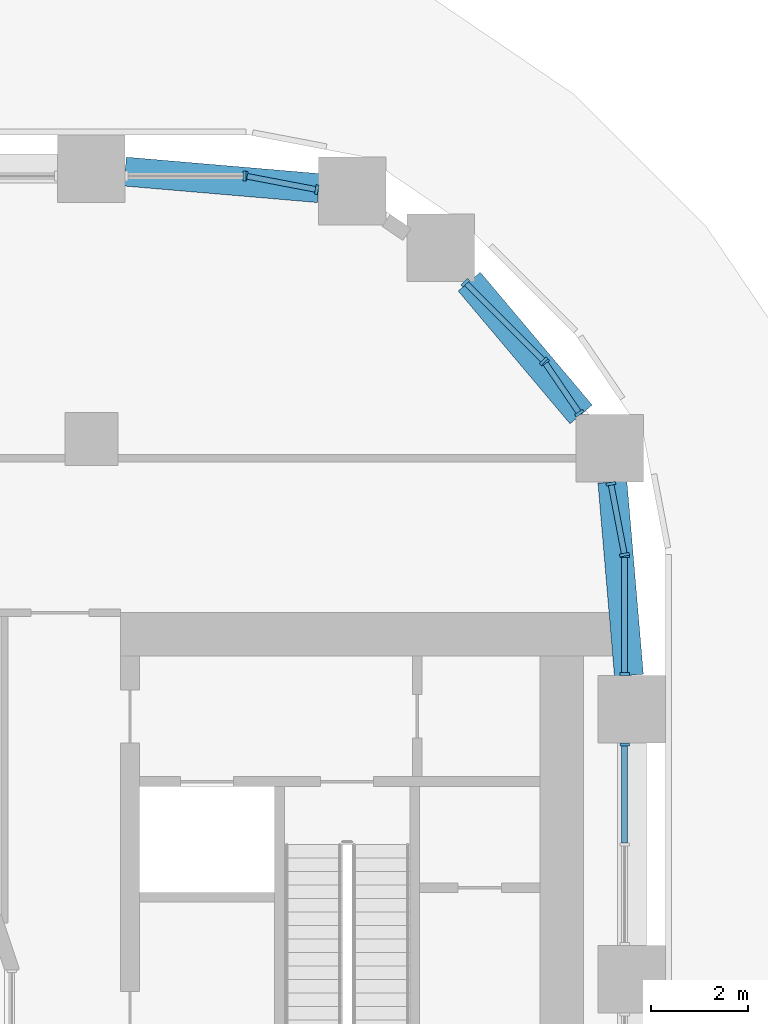
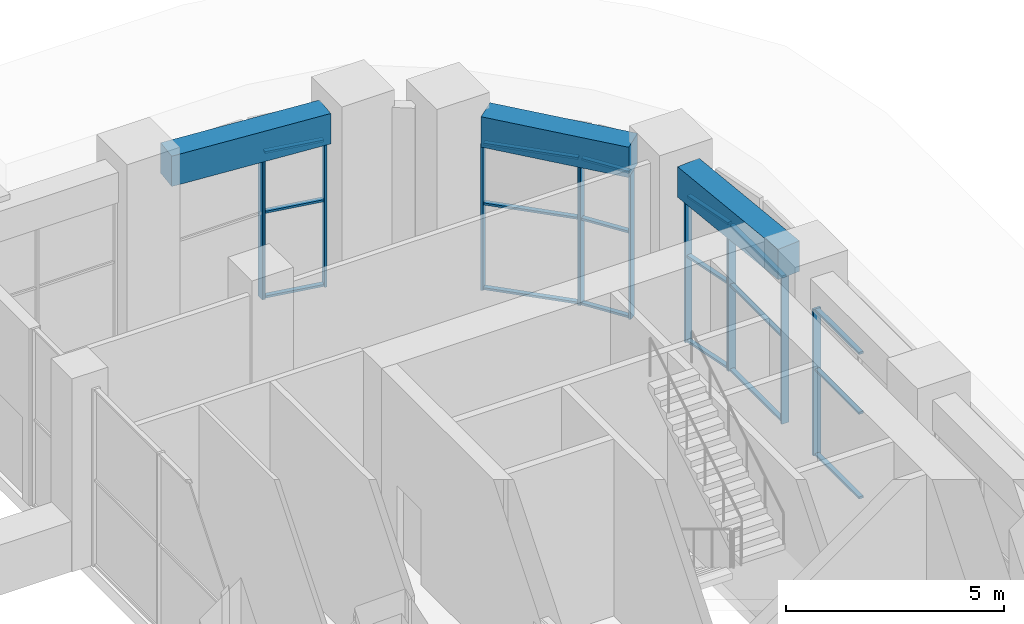
# One storey, part 10 of 27: 30 members, 3 beams, 7 elements without a shape of their own.
"""IFC4 building model written with IfcOpenShell, lengths in metres."""

from ifc_helpers import new_model, si_unit, direction, frame, origin, origin_2d, place, context, subcontext, project, spatial, rectangle, extrude, material, layer, layer_set, material_profile, profile_set, type_object, element, aggregate, save


model = new_model("IFC4")

# Units and contexts
model_context = context("Model", 3, precision=1e-05, world=origin(), true_north=direction((0.0, 1.0)))
body_context = subcontext(model_context, "Body", "Model", "MODEL_VIEW")
ifc_project = project(units=[si_unit("LENGTHUNIT", "METRE"), si_unit("AREAUNIT", "SQUARE_METRE"), si_unit("VOLUMEUNIT", "CUBIC_METRE"), si_unit("PLANEANGLEUNIT", "RADIAN"), si_unit("MASSUNIT", "GRAM", prefix="KILO")], contexts=[model_context])

# Site, building, storey
site_placement = place(None, origin())
site = spatial("IfcSite", under=ifc_project, at=site_placement, CompositionType="ELEMENT")
building_placement = place(site_placement, origin())
building = spatial("IfcBuilding", under=site, at=building_placement, Name="Kiln Ring Residences", CompositionType="ELEMENT")
storey_placement = place(building_placement, frame((0.0, 0.0, 72.5)))
storey = spatial("IfcBuildingStorey", under=building, at=storey_placement, Name="L18", CompositionType="ELEMENT", Elevation=72.5)

# Curtain wall, member
ifc_material_1 = material(Name="Aluminium and glass", Category="aluminium")
ifc_layer = layer(ifc_material_1, 0.199951171875)
ifc_layer_set = layer_set([ifc_layer], Name="CW1 CURTAIN WALL")
curtain_wall_type = type_object("IfcCurtainWallType", Name="CW1 CURTAIN WALL", PredefinedType="NOTDEFINED", material=ifc_layer_set)
placement = place(storey_placement, origin())
curtain_wall_1 = element("IfcCurtainWall", 1, at=placement, inside=storey, type_object=curtain_wall_type, Name="Curtain wall CW1 L18", PredefinedType="NOTDEFINED")
ifc_material_2 = material(Name="Aluminium 6063-T6", Category="aluminium")
ifc_material_profile_1 = material_profile(ifc_material_2, rectangle(XDim=0.199951171875, YDim=0.06005859375, at=origin_2d()), Name="AL 200x60")
ifc_profile_set_1 = profile_set([ifc_material_profile_1], Name="Aluminium 6063-T6")
member_type_1 = type_object("IfcMemberType", Name="CW1 MULLION 200 x 60", PredefinedType="MULLION", material=ifc_profile_set_1)
member_1_placement = place(storey_placement, frame((27.85009765625, 10.469970703125, 0.0), z_axis=(0.0, 0.0, 1.0), x_axis=(-1.0, 0.0, 0.0)))
member_1 = element("IfcMember", 2, at=member_1_placement, type_object=member_type_1, Name="CW1 mullion 3", PredefinedType="MULLION", context=body_context, shape_type="SweptSolid", body=[
    extrude(rectangle(XDim=0.199951171875, YDim=0.06005859375, at=origin_2d()), origin(), (0.0, 0.0, 1.0), 4.10009765625),
])

# Curtain wall, members
curtain_wall_2 = element("IfcCurtainWall", 3, at=placement, inside=storey, type_object=curtain_wall_type, Name="Curtain wall CW1 L18", PredefinedType="NOTDEFINED")
member_2_placement = place(storey_placement, frame((27.85009765625, 11.929931640625, 0.0), z_axis=(0.0, 0.0, 1.0), x_axis=(-1.0, 0.0, 0.0)))
member_2 = element("IfcMember", 4, at=member_2_placement, type_object=member_type_1, Name="CW1 mullion 1", PredefinedType="MULLION", context=body_context, shape_type="SweptSolid", body=[
    extrude(rectangle(XDim=0.199951171875, YDim=0.06005859375, at=origin_2d()), origin(), (0.0, 0.0, 1.0), 4.10009765625),
])
member_3_placement = place(storey_placement, frame((27.85009765625, 14.3701171875, 0.0), z_axis=(0.0, 0.0, 1.0), x_axis=(-1.0, 0.0, 0.0)))
member_3 = element("IfcMember", 5, at=member_3_placement, type_object=member_type_1, Name="CW1 mullion 2", PredefinedType="MULLION", context=body_context, shape_type="SweptSolid", body=[
    extrude(rectangle(XDim=0.199951171875, YDim=0.06005859375, at=origin_2d()), origin(), (0.0, 0.0, 1.0), 4.10009765625),
])

curtain_wall_3 = element("IfcCurtainWall", 6, at=placement, inside=storey, type_object=curtain_wall_type, Name="Curtain wall CW1 L18", PredefinedType="NOTDEFINED")
member_4_placement = place(storey_placement, frame((27.846923828125, 14.4013671875, 0.0), z_axis=(0.0, 0.0, 1.0), x_axis=(-0.982290257793, -0.187365550313, 0.0)))
member_4 = element("IfcMember", 7, at=member_4_placement, type_object=member_type_1, Name="CW1 mullion 1", PredefinedType="MULLION", context=body_context, shape_type="SweptSolid", body=[
    extrude(rectangle(XDim=0.199951171875, YDim=0.06005859375, at=origin_2d()), origin(), (0.0, 0.0, 1.0), 4.10009765625),
])
member_5_placement = place(storey_placement, frame((27.566650390625, 15.87109375, 0.0), z_axis=(0.0, 0.0, 1.0), x_axis=(-0.982290257793, -0.187365550313, 0.0)))
member_5 = element("IfcMember", 8, at=member_5_placement, type_object=member_type_1, Name="CW1 mullion 2", PredefinedType="MULLION", context=body_context, shape_type="SweptSolid", body=[
    extrude(rectangle(XDim=0.199951171875, YDim=0.06005859375, at=origin_2d()), origin(), (0.0, 0.0, 1.0), 4.10009765625),
])

curtain_wall_4 = element("IfcCurtainWall", 9, at=placement, inside=storey, type_object=curtain_wall_type, Name="Curtain wall CW1 L18", PredefinedType="NOTDEFINED")
member_6_placement = place(storey_placement, frame((26.912353515625, 17.33349609375, 0.0), z_axis=(0.0, 0.0, 1.0), x_axis=(-0.827071553439, -0.56209665138, 0.0)))
member_6 = element("IfcMember", 10, at=member_6_placement, type_object=member_type_1, Name="CW1 mullion 1", PredefinedType="MULLION", context=body_context, shape_type="SweptSolid", body=[
    extrude(rectangle(XDim=0.199951171875, YDim=0.06005859375, at=origin_2d()), origin(), (0.0, 0.0, 1.0), 4.10009765625),
])
member_7_placement = place(storey_placement, frame((26.19580078125, 18.387939453125, 0.0), z_axis=(0.0, 0.0, 1.0), x_axis=(-0.827071553439, -0.56209665138, 0.0)))
member_7 = element("IfcMember", 11, at=member_7_placement, type_object=member_type_1, Name="CW1 mullion 2", PredefinedType="MULLION", context=body_context, shape_type="SweptSolid", body=[
    extrude(rectangle(XDim=0.199951171875, YDim=0.06005859375, at=origin_2d()), origin(), (0.0, 0.0, 1.0), 4.10009765625),
])

curtain_wall_5 = element("IfcCurtainWall", 12, at=placement, inside=storey, type_object=curtain_wall_type, Name="Curtain wall CW1 L18", PredefinedType="NOTDEFINED")
member_8_placement = place(storey_placement, frame((26.17578125, 18.412109375, 0.0), z_axis=(0.0, 0.0, 1.0), x_axis=(-0.707106781187, -0.707106781187, 0.0)))
member_8 = element("IfcMember", 13, at=member_8_placement, type_object=member_type_1, Name="CW1 mullion 1", PredefinedType="MULLION", context=body_context, shape_type="SweptSolid", body=[
    extrude(rectangle(XDim=0.199951171875, YDim=0.06005859375, at=origin_2d()), origin(), (0.0, 0.0, 1.0), 4.10009765625),
])
member_9_placement = place(storey_placement, frame((24.54931640625, 20.03857421875, 0.0), z_axis=(0.0, 0.0, 1.0), x_axis=(-0.707106781187, -0.707106781187, 0.0)))
member_9 = element("IfcMember", 14, at=member_9_placement, type_object=member_type_1, Name="CW1 mullion 2", PredefinedType="MULLION", context=body_context, shape_type="SweptSolid", body=[
    extrude(rectangle(XDim=0.199951171875, YDim=0.06005859375, at=origin_2d()), origin(), (0.0, 0.0, 1.0), 4.10009765625),
])

curtain_wall_6 = element("IfcCurtainWall", 15, at=placement, inside=storey, type_object=curtain_wall_type, Name="Curtain wall CW1 L18", PredefinedType="NOTDEFINED")
member_10_placement = place(storey_placement, frame((21.470947265625, 21.966796875, 0.0), z_axis=(0.0, 0.0, 1.0), x_axis=(-0.187365550313, -0.982290257793, 0.0)))
member_10 = element("IfcMember", 16, at=member_10_placement, type_object=member_type_1, Name="CW1 mullion 1", PredefinedType="MULLION", context=body_context, shape_type="SweptSolid", body=[
    extrude(rectangle(XDim=0.199951171875, YDim=0.06005859375, at=origin_2d()), origin(), (0.0, 0.0, 1.0), 4.10009765625),
])
member_11_placement = place(storey_placement, frame((20.00146484375, 22.2470703125, 0.0), z_axis=(0.0, 0.0, 1.0), x_axis=(-0.187365550313, -0.982290257793, 0.0)))
member_11 = element("IfcMember", 17, at=member_11_placement, type_object=member_type_1, Name="CW1 mullion 2", PredefinedType="MULLION", context=body_context, shape_type="SweptSolid", body=[
    extrude(rectangle(XDim=0.199951171875, YDim=0.06005859375, at=origin_2d()), origin(), (0.0, 0.0, 1.0), 4.10009765625),
])

# Curtain wall, member
curtain_wall_7 = element("IfcCurtainWall", 18, at=placement, inside=storey, type_object=curtain_wall_type, Name="Curtain wall CW1 L18", PredefinedType="NOTDEFINED")
member_12_placement = place(storey_placement, frame((19.969970703125, 22.25, 0.0), z_axis=(0.0, 0.0, 1.0), x_axis=(0.0, -1.0, 0.0)))
member_12 = element("IfcMember", 19, at=member_12_placement, type_object=member_type_1, Name="CW1 mullion 1", PredefinedType="MULLION", context=body_context, shape_type="SweptSolid", body=[
    extrude(rectangle(XDim=0.199951171875, YDim=0.06005859375, at=origin_2d()), origin(), (0.0, 0.0, 1.0), 4.10009765625),
])
aggregate(curtain_wall_7, [member_12])

# Member
ifc_material_3 = material(Name="Aluminium 6063-T6", Category="aluminium")
ifc_material_profile_2 = material_profile(ifc_material_3, rectangle(XDim=0.1201171875, YDim=0.06005859375, at=origin_2d()), Name="AL 120x60")
ifc_profile_set_2 = profile_set([ifc_material_profile_2], Name="Aluminium 6063-T6")
member_type_2 = type_object("IfcMemberType", Name="CW1 TRANSOM 120 x 60", PredefinedType="USERDEFINED", material=ifc_profile_set_2)
member_13_placement = place(storey_placement, frame((27.85009765625, 8.429931640625, 0.030029296875), z_axis=(0.0, 1.0, 0.0), x_axis=(-1.0, 0.0, 0.0)))
member_13 = element("IfcMember", 20, at=member_13_placement, type_object=member_type_2, Name="CW1 transom 2.1", ObjectType="TRANSOM", PredefinedType="USERDEFINED", context=body_context, shape_type="SweptSolid", body=[
    extrude(rectangle(XDim=0.1201171875, YDim=0.06005859375, at=origin_2d()), origin(), (0.0, 0.0, 1.0), 2.010009765625),
])

member_14_placement = place(storey_placement, frame((27.85009765625, 8.429931640625, 2.39990234375), z_axis=(0.0, 1.0, 0.0), x_axis=(-1.0, 0.0, 0.0)))
member_14 = element("IfcMember", 21, at=member_14_placement, type_object=member_type_2, Name="CW1 transom 2.2", ObjectType="TRANSOM", PredefinedType="USERDEFINED", context=body_context, shape_type="SweptSolid", body=[
    extrude(rectangle(XDim=0.1201171875, YDim=0.06005859375, at=origin_2d()), origin(), (0.0, 0.0, 1.0), 2.010009765625),
])

member_15_placement = place(storey_placement, frame((27.85009765625, 8.429931640625, 4.070068359375), z_axis=(0.0, 1.0, 0.0), x_axis=(-1.0, 0.0, 0.0)))
member_15 = element("IfcMember", 22, at=member_15_placement, type_object=member_type_2, Name="CW1 transom 2.3", ObjectType="TRANSOM", PredefinedType="USERDEFINED", context=body_context, shape_type="SweptSolid", body=[
    extrude(rectangle(XDim=0.1201171875, YDim=0.06005859375, at=origin_2d()), origin(), (0.0, 0.0, 1.0), 2.010009765625),
])

aggregate(curtain_wall_1, [member_1, member_13, member_14, member_15])

member_16_placement = place(storey_placement, frame((27.85009765625, 11.9599609375, 0.030029296875), z_axis=(0.0, 1.0, 0.0), x_axis=(-1.0, 0.0, 0.0)))
member_16 = element("IfcMember", 23, at=member_16_placement, type_object=member_type_2, Name="CW1 transom 1.1", ObjectType="TRANSOM", PredefinedType="USERDEFINED", context=body_context, shape_type="SweptSolid", body=[
    extrude(rectangle(XDim=0.1201171875, YDim=0.06005859375, at=origin_2d()), origin(), (0.0, 0.0, 1.0), 2.380126953125),
])

member_17_placement = place(storey_placement, frame((27.85009765625, 11.9599609375, 2.39990234375), z_axis=(0.0, 1.0, 0.0), x_axis=(-1.0, 0.0, 0.0)))
member_17 = element("IfcMember", 24, at=member_17_placement, type_object=member_type_2, Name="CW1 transom 1.2", ObjectType="TRANSOM", PredefinedType="USERDEFINED", context=body_context, shape_type="SweptSolid", body=[
    extrude(rectangle(XDim=0.1201171875, YDim=0.06005859375, at=origin_2d()), origin(), (0.0, 0.0, 1.0), 2.380126953125),
])

member_18_placement = place(storey_placement, frame((27.85009765625, 11.9599609375, 4.070068359375), z_axis=(0.0, 1.0, 0.0), x_axis=(-1.0, 0.0, 0.0)))
member_18 = element("IfcMember", 25, at=member_18_placement, type_object=member_type_2, Name="CW1 transom 1.3", ObjectType="TRANSOM", PredefinedType="USERDEFINED", context=body_context, shape_type="SweptSolid", body=[
    extrude(rectangle(XDim=0.1201171875, YDim=0.06005859375, at=origin_2d()), origin(), (0.0, 0.0, 1.0), 2.380126953125),
])

aggregate(curtain_wall_2, [member_2, member_3, member_16, member_17, member_18])

member_19_placement = place(storey_placement, frame((27.84130859375, 14.430908203125, 0.030029296875), z_axis=(-0.187346465138, 0.982293897976, 0.0), x_axis=(-0.982293897976, -0.187346465138, 0.0)))
member_19 = element("IfcMember", 26, at=member_19_placement, type_object=member_type_2, Name="CW1 transom 1.1", ObjectType="TRANSOM", PredefinedType="USERDEFINED", context=body_context, shape_type="SweptSolid", body=[
    extrude(rectangle(XDim=0.1201171875, YDim=0.06005859375, at=origin_2d()), origin(), (0.0, 0.0, 1.0), 1.43603515625),
])

member_20_placement = place(storey_placement, frame((27.84130859375, 14.430908203125, 2.39990234375), z_axis=(-0.187346465138, 0.982293897976, 0.0), x_axis=(-0.982293897976, -0.187346465138, 0.0)))
member_20 = element("IfcMember", 27, at=member_20_placement, type_object=member_type_2, Name="CW1 transom 1.2", ObjectType="TRANSOM", PredefinedType="USERDEFINED", context=body_context, shape_type="SweptSolid", body=[
    extrude(rectangle(XDim=0.1201171875, YDim=0.06005859375, at=origin_2d()), origin(), (0.0, 0.0, 1.0), 1.43603515625),
])

member_21_placement = place(storey_placement, frame((27.84130859375, 14.430908203125, 4.070068359375), z_axis=(-0.187346465138, 0.982293897976, 0.0), x_axis=(-0.982293897976, -0.187346465138, 0.0)))
member_21 = element("IfcMember", 28, at=member_21_placement, type_object=member_type_2, Name="CW1 transom 1.3", ObjectType="TRANSOM", PredefinedType="USERDEFINED", context=body_context, shape_type="SweptSolid", body=[
    extrude(rectangle(XDim=0.1201171875, YDim=0.06005859375, at=origin_2d()), origin(), (0.0, 0.0, 1.0), 1.43603515625),
])

aggregate(curtain_wall_3, [member_4, member_5, member_19, member_20, member_21])

member_22_placement = place(storey_placement, frame((26.8955078125, 17.3583984375, 0.030029296875), z_axis=(-0.562145091099, 0.82703863063, 0.0), x_axis=(-0.82703863063, -0.562145091099, 0.0)))
member_22 = element("IfcMember", 29, at=member_22_placement, type_object=member_type_2, Name="CW1 transom 1.1", ObjectType="TRANSOM", PredefinedType="USERDEFINED", context=body_context, shape_type="SweptSolid", body=[
    extrude(rectangle(XDim=0.1201171875, YDim=0.06005859375, at=origin_2d()), origin(), (0.0, 0.0, 1.0), 1.21484375),
])

member_23_placement = place(storey_placement, frame((26.8955078125, 17.3583984375, 2.39990234375), z_axis=(-0.562145091099, 0.82703863063, 0.0), x_axis=(-0.82703863063, -0.562145091099, 0.0)))
member_23 = element("IfcMember", 30, at=member_23_placement, type_object=member_type_2, Name="CW1 transom 1.2", ObjectType="TRANSOM", PredefinedType="USERDEFINED", context=body_context, shape_type="SweptSolid", body=[
    extrude(rectangle(XDim=0.1201171875, YDim=0.06005859375, at=origin_2d()), origin(), (0.0, 0.0, 1.0), 1.21484375),
])

member_24_placement = place(storey_placement, frame((26.8955078125, 17.3583984375, 4.070068359375), z_axis=(-0.562145091099, 0.82703863063, 0.0), x_axis=(-0.82703863063, -0.562145091099, 0.0)))
member_24 = element("IfcMember", 31, at=member_24_placement, type_object=member_type_2, Name="CW1 transom 1.3", ObjectType="TRANSOM", PredefinedType="USERDEFINED", context=body_context, shape_type="SweptSolid", body=[
    extrude(rectangle(XDim=0.1201171875, YDim=0.06005859375, at=origin_2d()), origin(), (0.0, 0.0, 1.0), 1.21484375),
])

aggregate(curtain_wall_4, [member_6, member_7, member_22, member_23, member_24])

member_25_placement = place(storey_placement, frame((26.154541015625, 18.433349609375, 0.030029296875), z_axis=(-0.707106781187, 0.707106781187, 0.0), x_axis=(-0.707106781187, -0.707106781187, 0.0)))
member_25 = element("IfcMember", 32, at=member_25_placement, type_object=member_type_2, Name="CW1 transom 1.1", ObjectType="TRANSOM", PredefinedType="USERDEFINED", context=body_context, shape_type="SweptSolid", body=[
    extrude(rectangle(XDim=0.1201171875, YDim=0.06005859375, at=origin_2d()), origin(), (0.0, 0.0, 1.0), 2.239990234375),
])

member_26_placement = place(storey_placement, frame((26.154541015625, 18.433349609375, 2.39990234375), z_axis=(-0.707106781187, 0.707106781187, 0.0), x_axis=(-0.707106781187, -0.707106781187, 0.0)))
member_26 = element("IfcMember", 33, at=member_26_placement, type_object=member_type_2, Name="CW1 transom 1.2", ObjectType="TRANSOM", PredefinedType="USERDEFINED", context=body_context, shape_type="SweptSolid", body=[
    extrude(rectangle(XDim=0.1201171875, YDim=0.06005859375, at=origin_2d()), origin(), (0.0, 0.0, 1.0), 2.239990234375),
])

member_27_placement = place(storey_placement, frame((26.154541015625, 18.433349609375, 4.070068359375), z_axis=(-0.707106781187, 0.707106781187, 0.0), x_axis=(-0.707106781187, -0.707106781187, 0.0)))
member_27 = element("IfcMember", 34, at=member_27_placement, type_object=member_type_2, Name="CW1 transom 1.3", ObjectType="TRANSOM", PredefinedType="USERDEFINED", context=body_context, shape_type="SweptSolid", body=[
    extrude(rectangle(XDim=0.1201171875, YDim=0.06005859375, at=origin_2d()), origin(), (0.0, 0.0, 1.0), 2.239990234375),
])

aggregate(curtain_wall_5, [member_8, member_9, member_25, member_26, member_27])

member_28_placement = place(storey_placement, frame((21.44140625, 21.972412109375, 0.030029296875), z_axis=(-0.982293897976, 0.187346465138, 0.0), x_axis=(-0.187346465138, -0.982293897976, 0.0)))
member_28 = element("IfcMember", 35, at=member_28_placement, type_object=member_type_2, Name="CW1 transom 1.1", ObjectType="TRANSOM", PredefinedType="USERDEFINED", context=body_context, shape_type="SweptSolid", body=[
    extrude(rectangle(XDim=0.1201171875, YDim=0.06005859375, at=origin_2d()), origin(), (0.0, 0.0, 1.0), 1.43603515625),
])

member_29_placement = place(storey_placement, frame((21.44140625, 21.972412109375, 2.39990234375), z_axis=(-0.982293897976, 0.187346465138, 0.0), x_axis=(-0.187346465138, -0.982293897976, 0.0)))
member_29 = element("IfcMember", 36, at=member_29_placement, type_object=member_type_2, Name="CW1 transom 1.2", ObjectType="TRANSOM", PredefinedType="USERDEFINED", context=body_context, shape_type="SweptSolid", body=[
    extrude(rectangle(XDim=0.1201171875, YDim=0.06005859375, at=origin_2d()), origin(), (0.0, 0.0, 1.0), 1.43603515625),
])

member_30_placement = place(storey_placement, frame((21.44140625, 21.972412109375, 4.070068359375), z_axis=(-0.982293897976, 0.187346465138, 0.0), x_axis=(-0.187346465138, -0.982293897976, 0.0)))
member_30 = element("IfcMember", 37, at=member_30_placement, type_object=member_type_2, Name="CW1 transom 1.3", ObjectType="TRANSOM", PredefinedType="USERDEFINED", context=body_context, shape_type="SweptSolid", body=[
    extrude(rectangle(XDim=0.1201171875, YDim=0.06005859375, at=origin_2d()), origin(), (0.0, 0.0, 1.0), 1.43603515625),
])

aggregate(curtain_wall_6, [member_10, member_11, member_28, member_29, member_30])

# Beams
ifc_material_4 = material(Name="Concrete C50/60", Category="concrete")
ifc_material_profile_3 = material_profile(ifc_material_4, rectangle(XDim=0.60009765625, YDim=0.85009765625, at=origin_2d()), Name="RC600x850")
ifc_profile_set_3 = profile_set([ifc_material_profile_3], Name="Concrete C50/60")
beam_type = type_object("IfcBeamType", Name="Spandrel beam RC600x850 C50/60", PredefinedType="SPANDREL", material=ifc_profile_set_3)
beam_1_placement = place(storey_placement, frame((27.940185546875, 11.89990234375, 4.52490234375), z_axis=(-0.085074130543, 0.996374624482, 0.0), x_axis=(-0.996374624482, -0.085074130543, 0.0)))
element("IfcBeam", 38, at=beam_1_placement, inside=storey, type_object=beam_type, Name="Spandrel beam L18 11", PredefinedType="SPANDREL", context=body_context, shape_type="SweptSolid", body=[
    extrude(rectangle(XDim=0.60009765625, YDim=0.85009765625, at=origin_2d()), origin(), (0.0, 0.0, 1.0), 4.0234375),
])
beam_2_placement = place(storey_placement, frame((26.9482421875, 17.30859375, 4.52490234375), z_axis=(-0.644346785428, 0.764733430751, 0.0), x_axis=(-0.764733430751, -0.644346785428, 0.0)))
element("IfcBeam", 39, at=beam_2_placement, inside=storey, type_object=beam_type, Name="Spandrel beam L18 12", PredefinedType="SPANDREL", context=body_context, shape_type="SweptSolid", body=[
    extrude(rectangle(XDim=0.60009765625, YDim=0.85009765625, at=origin_2d()), origin(), (0.0, 0.0, 1.0), 3.59765625),
])
beam_3_placement = place(storey_placement, frame((21.5087890625, 21.997802734375, 4.52490234375), z_axis=(-0.996369479058, 0.085134371444, 0.0), x_axis=(-0.085134371444, -0.996369479058, 0.0)))
element("IfcBeam", 40, at=beam_3_placement, inside=storey, type_object=beam_type, Name="Spandrel beam L18 13", PredefinedType="SPANDREL", context=body_context, shape_type="SweptSolid", body=[
    extrude(rectangle(XDim=0.60009765625, YDim=0.85009765625, at=origin_2d()), origin(), (0.0, 0.0, 1.0), 4.0234375),
])

save(model, "model.ifc")
